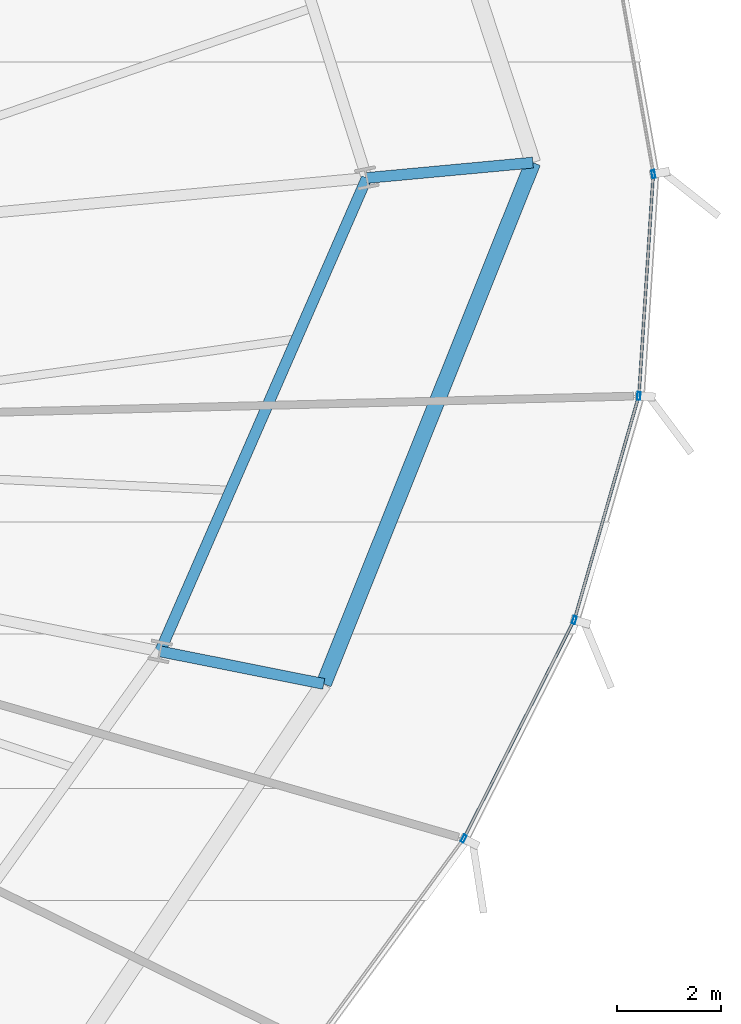
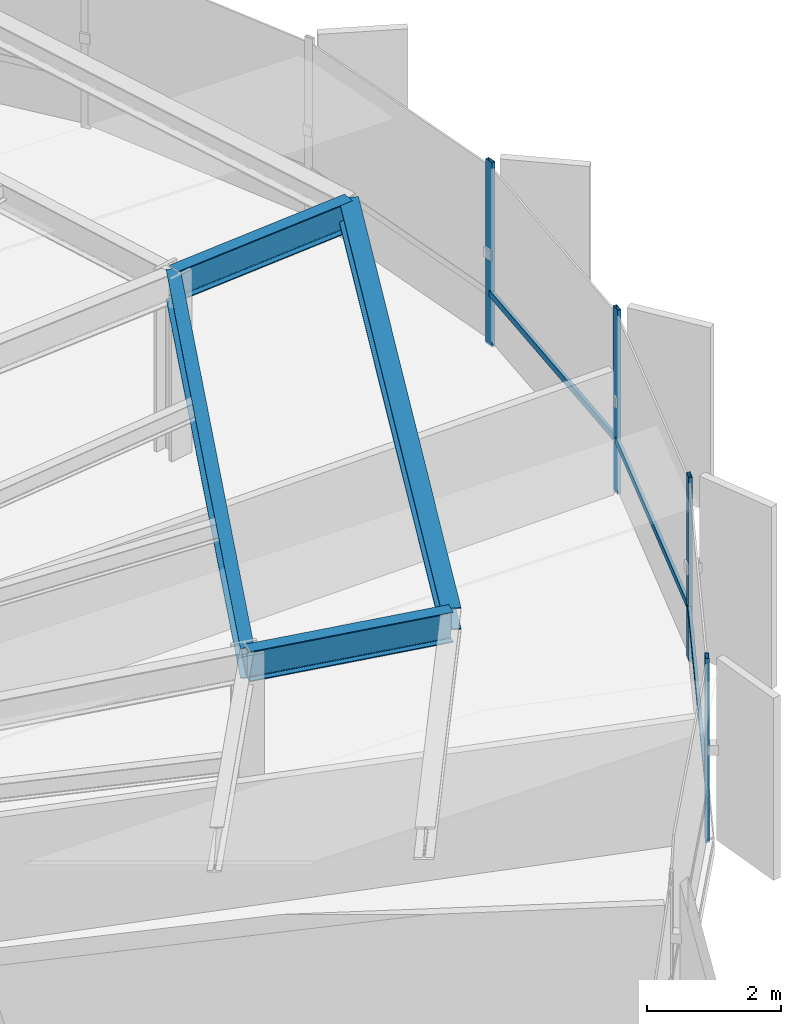
# One storey, part 16 of 35: 7 members, 4 beams, 1 element without a shape of its own.
"""IFC4 building model written with IfcOpenShell, lengths in metres."""

from ifc_helpers import new_model, si_unit, direction, frame, origin, origin_2d, place, context, subcontext, project, spatial, hollow_rectangle, i_section, extrude, source, transform, mapped, material, layer, layer_set, material_profile, profile_set, type_object, element, aggregate, save


model = new_model("IFC4")

# Units and contexts
model_context = context("Model", 3, precision=1e-05, world=origin(), true_north=direction((0.0, 1.0)))
body_context = subcontext(model_context, "Body", "Model", "MODEL_VIEW")
ifc_project = project(units=[si_unit("LENGTHUNIT", "METRE"), si_unit("AREAUNIT", "SQUARE_METRE"), si_unit("VOLUMEUNIT", "CUBIC_METRE"), si_unit("PLANEANGLEUNIT", "RADIAN"), si_unit("MASSUNIT", "GRAM", prefix="KILO"), si_unit("THERMODYNAMICTEMPERATUREUNIT", "KELVIN")], contexts=[model_context])

# Site, building, storey
site_placement = place(None, origin())
site = spatial("IfcSite", under=ifc_project, at=site_placement, CompositionType="ELEMENT")
building_placement = place(site_placement, origin())
building = spatial("IfcBuilding", under=site, at=building_placement, Name="Kethvar Cultural Tower", CompositionType="ELEMENT")
storey_placement = place(building_placement, frame((0.0, 0.0, 103.60009765625)))
storey = spatial("IfcBuildingStorey", under=building, at=storey_placement, Name="L25", CompositionType="ELEMENT", Elevation=103.60009765625)

# Beams
ifc_material_1 = material(Name="Steel S355J2", Category="steel")
ifc_material_profile_1 = material_profile(ifc_material_1, i_section(OverallWidth=0.2099609375, OverallDepth=0.550048828125, WebThickness=0.010986328125, FlangeThickness=0.01708984375, FilletRadius=0.02392578125, at=origin_2d()), Name="Steel S355J2 — IPE550")
ifc_profile_set_1 = profile_set([ifc_material_profile_1], Name="Steel S355J2 — IPE550")
beam_type_1 = type_object("IfcBeamType", Name="BM-IPE550", PredefinedType="BEAM", material=ifc_profile_set_1)
shared_shape_1 = source(origin(), body_context, "Body", "SweptSolid", [
    extrude(i_section(OverallWidth=0.2099609375, OverallDepth=0.550048828125, WebThickness=0.010986328125, FlangeThickness=0.01708984375, FilletRadius=0.02392578125, at=origin_2d()), origin(), (0.0, 0.0, 1.0), 3.199951171875),
])
for number, where, z_axis, x_axis, name in (
    (1, (71.6025390625, 32.7333984375, 3.072998046875), (0.995729641608, 0.092317283453, 0.0), (-0.092317283453, 0.995729641608, 0.0), "L25 Perimeter Cantilever Beam RC-01"),
    (2, (67.638671875, 23.65478515625, 3.072998046875), (0.980785550224, -0.195088965533, 0.0), (0.195088965533, 0.980785550224, 0.0), "L25 Perimeter Cantilever Beam RC-16"),
):
    element("IfcBeam", number, at=place(storey_placement, frame(where, z_axis=z_axis, x_axis=x_axis)), inside=storey, type_object=beam_type_1, Name=name, PredefinedType="BEAM", context=body_context, shape_type="MappedRepresentation", body=[
        mapped(shared_shape_1, transform((0.0, 0.0, 0.0), scale=1.0)),
    ])
shared_shape_2 = source(origin(), body_context, "Body", "SweptSolid", [
    extrude(i_section(OverallWidth=0.2099609375, OverallDepth=0.550048828125, WebThickness=0.010986328125, FlangeThickness=0.01708984375, FilletRadius=0.02392578125, at=origin_2d()), origin(), (0.0, 0.0, 1.0), 9.90625),
])
beam_1_placement = place(storey_placement, frame((67.638671875, 23.65478515625, 3.072998046875), z_axis=(0.400138679026, 0.916454602011, 0.0), x_axis=(-0.916454602011, 0.400138679026, 0.0)))
element("IfcBeam", 3, at=beam_1_placement, inside=storey, type_object=beam_type_1, Name="L25 Column Ring Tie Beam CR-16", PredefinedType="BEAM", context=body_context, shape_type="MappedRepresentation", body=[
    mapped(shared_shape_2, transform((0.0, 0.0, 0.0), scale=1.0)),
])
ifc_material_profile_2 = material_profile(ifc_material_1, i_section(OverallWidth=0.300048828125, OverallDepth=0.39990234375, WebThickness=0.013427734375, FlangeThickness=0.02392578125, FilletRadius=0.027099609375, at=origin_2d()), Name="Steel S355J2 — HEB400")
ifc_profile_set_2 = profile_set([ifc_material_profile_2], Name="Steel S355J2 — HEB400")
beam_type_2 = type_object("IfcBeamType", Name="BM-SP400", PredefinedType="SPANDREL", material=ifc_profile_set_2)
shared_shape_3 = source(origin(), body_context, "Body", "SweptSolid", [
    extrude(i_section(OverallWidth=0.300048828125, OverallDepth=0.39990234375, WebThickness=0.013427734375, FlangeThickness=0.02392578125, FilletRadius=0.027099609375, at=origin_2d()), origin(), (0.0, 0.0, 1.0), 10.773193359375),
])
beam_2_placement = place(storey_placement, frame((70.777099609375, 23.030517578125, 3.14794921875), z_axis=(0.372382905959, 0.928079183771, 0.0), x_axis=(-0.928079183771, 0.372382905959, 0.0)))
element("IfcBeam", 4, at=beam_2_placement, inside=storey, type_object=beam_type_2, Name="L25 Perimeter Spandrel Beam SP-16", PredefinedType="SPANDREL", context=body_context, shape_type="MappedRepresentation", body=[
    mapped(shared_shape_3, transform((0.0, 0.0, 0.0), scale=1.0)),
])

# Curtain wall, members
ifc_material_2 = material(Name="Aluminium 6063-T6", Category="aluminium")
ifc_layer = layer(ifc_material_2, 0.179931640625, Name="Aluminium 6063-T6", Category="aluminium")
ifc_layer_set = layer_set([ifc_layer], Name="Aluminium 6063-T6 (180 mm)")
curtain_wall_type = type_object("IfcCurtainWallType", Name="CW-SYS-03-Z2", PredefinedType="NOTDEFINED", material=ifc_layer_set)
curtain_wall_placement = place(storey_placement, origin())
curtain_wall = element("IfcCurtainWall", 5, at=curtain_wall_placement, inside=storey, type_object=curtain_wall_type, Name="L25 Curtain Wall Run 06", PredefinedType="NOTDEFINED")
ifc_material_profile_3 = material_profile(ifc_material_2, hollow_rectangle(XDim=0.06005859375, YDim=0.14990234375, WallThickness=0.0048828125, at=origin_2d()), Name="Aluminium 6063-T6 — RHS150x60x5")
ifc_profile_set_3 = profile_set([ifc_material_profile_3], Name="Aluminium 6063-T6 — RHS150x60x5")
member_type_1 = type_object("IfcMemberType", Name="CW-SYS-03-Z2-MUL", PredefinedType="MULLION", material=ifc_profile_set_3)
shared_shape_4 = source(origin(), body_context, "Body", "SweptSolid", [
    extrude(hollow_rectangle(XDim=0.06005859375, YDim=0.14990234375, WallThickness=0.0048828125, at=origin_2d()), origin(), (0.0, 0.0, 1.0), 3.349853515625),
])
member_1_placement = place(storey_placement, frame((73.46240234375, 20.0625, 0.0), z_axis=(0.0, 0.0, 1.0), x_axis=(-0.892546468565, 0.450955431779, 0.0)))
member_1 = element("IfcMember", 6, at=member_1_placement, type_object=member_type_1, Name="CW-L25-R06 Mullion 3", PredefinedType="MULLION", context=body_context, shape_type="MappedRepresentation", body=[
    mapped(shared_shape_4, transform((0.0, 0.0, 0.0), scale=1.0)),
])
member_2_placement = place(storey_placement, frame((75.583740234375, 24.257080078125, 0.0), z_axis=(0.0, 0.0, 1.0), x_axis=(-0.961088318146, 0.276241279905, 0.0)))
member_2 = element("IfcMember", 7, at=member_2_placement, type_object=member_type_1, Name="CW-L25-R06 Mullion 4", PredefinedType="MULLION", context=body_context, shape_type="MappedRepresentation", body=[
    mapped(shared_shape_4, transform((0.0, 0.0, 0.0), scale=1.0)),
])
member_3_placement = place(storey_placement, frame((76.8212890625, 28.552734375, 0.0), z_axis=(0.0, 0.0, 1.0), x_axis=(-0.997911110635, 0.064601975748, 0.0)))
member_3 = element("IfcMember", 8, at=member_3_placement, type_object=member_type_1, Name="CW-L25-R06 Mullion 5", PredefinedType="MULLION", context=body_context, shape_type="MappedRepresentation", body=[
    mapped(shared_shape_4, transform((0.0, 0.0, 0.0), scale=1.0)),
])
member_4_placement = place(storey_placement, frame((77.099853515625, 32.807861328125, 0.0), z_axis=(0.0, 0.0, 1.0), x_axis=(-0.984862257597, -0.173338782623, 0.0)))
member_4 = element("IfcMember", 9, at=member_4_placement, type_object=member_type_1, Name="CW-L25-R06 Mullion 6", PredefinedType="MULLION", context=body_context, shape_type="MappedRepresentation", body=[
    mapped(shared_shape_4, transform((0.0, 0.0, 0.0), scale=1.0)),
])
ifc_material_profile_4 = material_profile(ifc_material_2, hollow_rectangle(XDim=0.054931640625, YDim=0.1201171875, WallThickness=0.00390625, at=origin_2d()), Name="Aluminium 6063-T6 — RHS120x55x4")
ifc_profile_set_4 = profile_set([ifc_material_profile_4], Name="Aluminium 6063-T6 — RHS120x55x4")
member_type_2 = type_object("IfcMemberType", Name="CW-SYS-03-Z2-TRN", PredefinedType="USERDEFINED", material=ifc_profile_set_4)
shared_shape_5 = source(origin(), body_context, "Body", "SweptSolid", [
    extrude(hollow_rectangle(XDim=0.054931640625, YDim=0.1201171875, WallThickness=0.00390625, at=origin_2d()), origin(), (0.0, 0.0, 1.0), 4.6357421875),
])
member_5_placement = place(storey_placement, frame((73.481689453125, 20.10107421875, 0.949951171875), z_axis=(0.450980519619, 0.892533792595, 0.0), x_axis=(-0.892533792595, 0.450980519619, 0.0)))
member_5 = element("IfcMember", 10, at=member_5_placement, type_object=member_type_2, Name="CW-L25-R06 Transom 3", ObjectType="TRANSOM", PredefinedType="USERDEFINED", context=body_context, shape_type="MappedRepresentation", body=[
    mapped(shared_shape_5, transform((0.0, 0.0, 0.0), scale=1.0)),
])
shared_shape_6 = source(origin(), body_context, "Body", "SweptSolid", [
    extrude(hollow_rectangle(XDim=0.054931640625, YDim=0.1201171875, WallThickness=0.00390625, at=origin_2d()), origin(), (0.0, 0.0, 1.0), 4.408447265625),
])
member_6_placement = place(storey_placement, frame((75.595703125, 24.298583984375, 0.949951171875), z_axis=(0.276242203885, 0.96108805257, 0.0), x_axis=(-0.96108805257, 0.276242203885, 0.0)))
member_6 = element("IfcMember", 11, at=member_6_placement, type_object=member_type_2, Name="CW-L25-R06 Transom 4", ObjectType="TRANSOM", PredefinedType="USERDEFINED", context=body_context, shape_type="MappedRepresentation", body=[
    mapped(shared_shape_6, transform((0.0, 0.0, 0.0), scale=1.0)),
])
shared_shape_7 = source(origin(), body_context, "Body", "SweptSolid", [
    extrude(hollow_rectangle(XDim=0.054931640625, YDim=0.1201171875, WallThickness=0.00390625, at=origin_2d()), origin(), (0.0, 0.0, 1.0), 4.205078125),
])
member_7_placement = place(storey_placement, frame((76.823974609375, 28.595703125, 0.949951171875), z_axis=(0.06461914295, 0.99790999913, 0.0), x_axis=(-0.99790999913, 0.06461914295, 0.0)))
member_7 = element("IfcMember", 12, at=member_7_placement, type_object=member_type_2, Name="CW-L25-R06 Transom 5", ObjectType="TRANSOM", PredefinedType="USERDEFINED", context=body_context, shape_type="MappedRepresentation", body=[
    mapped(shared_shape_7, transform((0.0, 0.0, 0.0), scale=1.0)),
])
aggregate(curtain_wall, [member_1, member_2, member_3, member_4, member_5, member_6, member_7])

save(model, "model.ifc")
